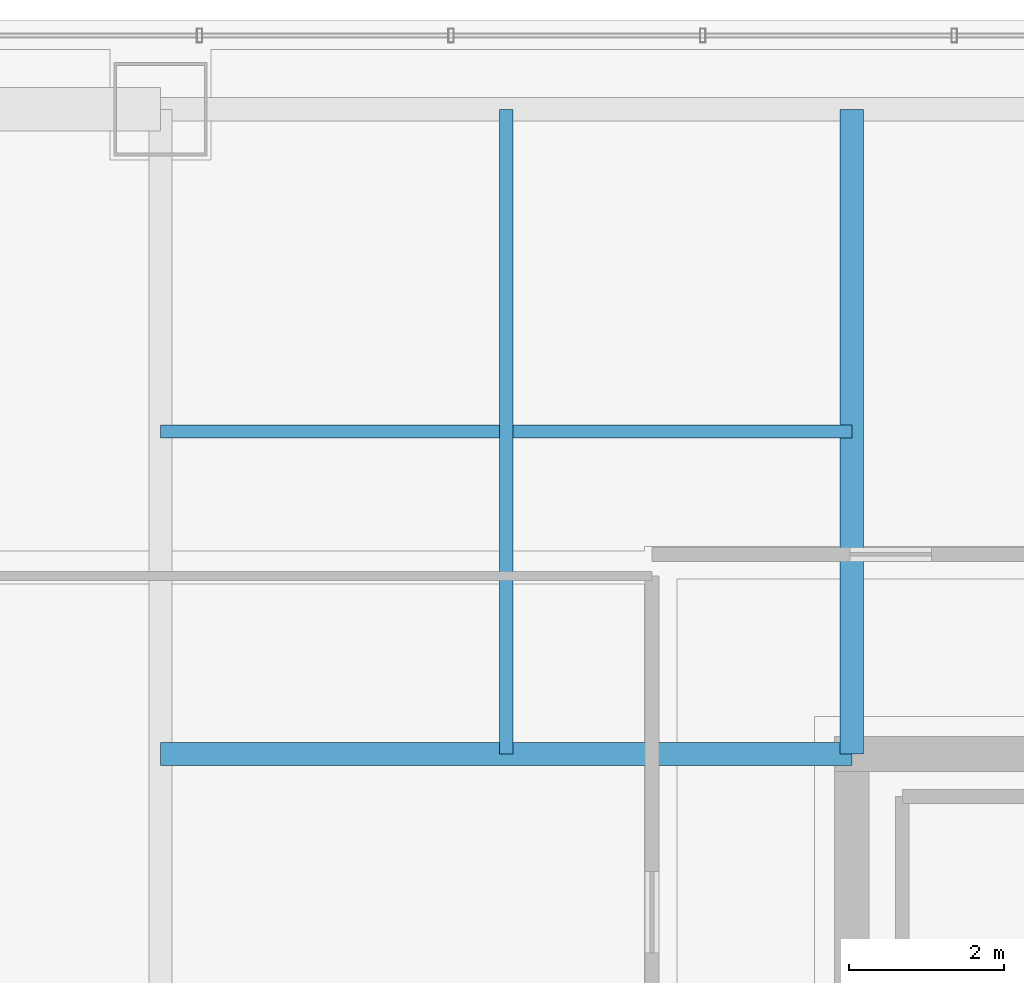
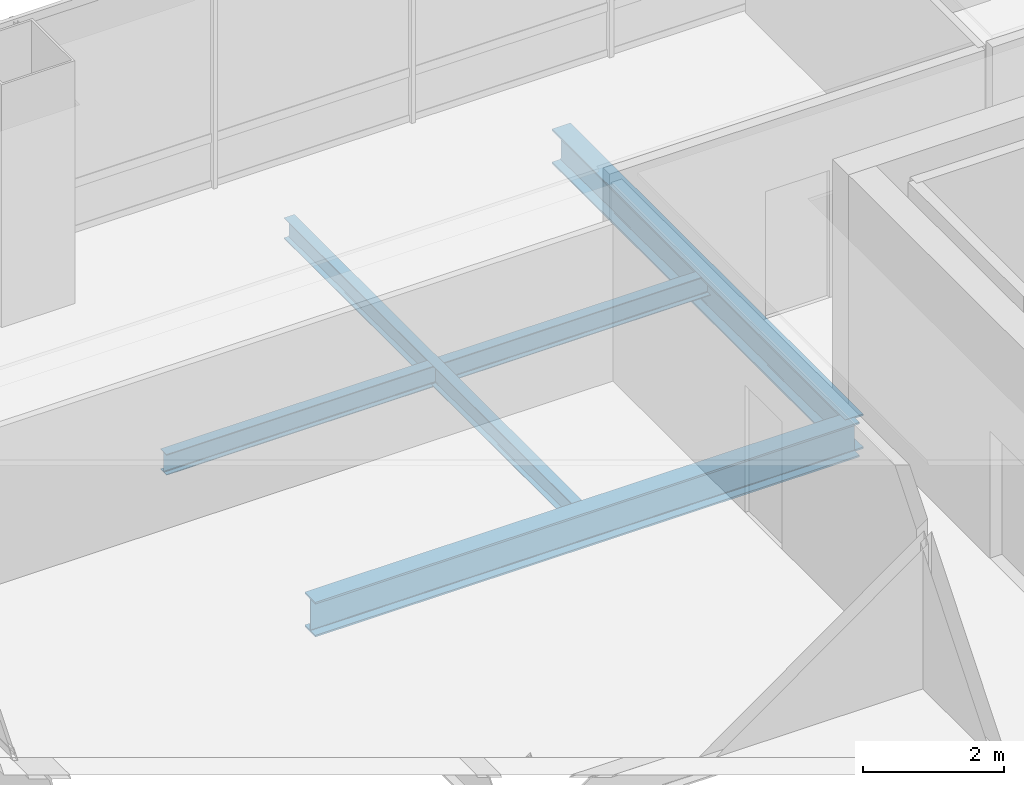
# One storey, part 24 of 43: 4 beams.
"""IFC4 building model written with IfcOpenShell, lengths in metres."""

from ifc_helpers import new_model, si_unit, direction, frame, origin, origin_2d, place, context, subcontext, project, spatial, i_section, extrude, material, material_profile, profile_set, type_object, element, save


model = new_model("IFC4")

# Units and contexts
model_context = context("Model", 3, precision=1e-05, world=origin(), true_north=direction((0.0, 1.0)))
body_context = subcontext(model_context, "Body", "Model", "MODEL_VIEW")
ifc_project = project(units=[si_unit("LENGTHUNIT", "METRE"), si_unit("AREAUNIT", "SQUARE_METRE"), si_unit("VOLUMEUNIT", "CUBIC_METRE"), si_unit("PLANEANGLEUNIT", "RADIAN"), si_unit("MASSUNIT", "GRAM", prefix="KILO")], contexts=[model_context])

# Site, building, storey
site_placement = place(None, origin())
site = spatial("IfcSite", under=ifc_project, at=site_placement, CompositionType="ELEMENT")
building_placement = place(site_placement, origin())
building = spatial("IfcBuilding", under=site, at=building_placement, Name="Punatoya Terracotta Tower", CompositionType="ELEMENT")
storey_placement = place(building_placement, frame((0.0, 0.0, 321.60009765625)))
storey = spatial("IfcBuildingStorey", under=building, at=storey_placement, Name="L76", CompositionType="ELEMENT", Elevation=321.60009765625)

# Beams
ifc_material = material(Name="Steel S355", Category="steel")
ifc_material_profile_1 = material_profile(ifc_material, i_section(OverallWidth=0.300048828125, OverallDepth=0.60009765625, WebThickness=0.015380859375, FlangeThickness=0.030029296875, FilletRadius=0.01806640625, at=origin_2d()))
ifc_profile_set_1 = profile_set([ifc_material_profile_1], Name="Steel S355")
beam_type_1 = type_object("IfcBeamType", Name="BM-PRI-600", PredefinedType="BEAM", material=ifc_profile_set_1)
beam_1_placement = place(storey_placement, frame((-19.10009765625, 9.199951171875, -0.5), z_axis=(1.0, 0.0, 0.0), x_axis=(0.0, 1.0, 0.0)))
element("IfcBeam", 1, at=beam_1_placement, inside=storey, type_object=beam_type_1, Name="BM-L76-PR-WN", PredefinedType="BEAM", context=body_context, shape_type="SweptSolid", body=[
    extrude(i_section(OverallWidth=0.300048828125, OverallDepth=0.60009765625, WebThickness=0.015380859375, FlangeThickness=0.030029296875, FilletRadius=0.01806640625, at=origin_2d()), origin(), (0.0, 0.0, 1.0), 8.900146484375),
])
beam_2_placement = place(storey_placement, frame((-10.199951171875, 9.199951171875, -0.5), z_axis=(0.0, 1.0, 0.0), x_axis=(-1.0, 0.0, 0.0)))
element("IfcBeam", 2, at=beam_2_placement, inside=storey, type_object=beam_type_1, Name="BM-L76-PR-N1", PredefinedType="BEAM", context=body_context, shape_type="SweptSolid", body=[
    extrude(i_section(OverallWidth=0.300048828125, OverallDepth=0.60009765625, WebThickness=0.015380859375, FlangeThickness=0.030029296875, FilletRadius=0.01806640625, at=origin_2d()), origin(), (0.0, 0.0, 1.0), 8.300048828125),
])
ifc_material_profile_2 = material_profile(ifc_material, i_section(OverallWidth=0.169921875, OverallDepth=0.360107421875, WebThickness=0.008056640625, FlangeThickness=0.0126953125, FilletRadius=0.01806640625, at=origin_2d()))
ifc_profile_set_2 = profile_set([ifc_material_profile_2], Name="Steel S355")
beam_type_2 = type_object("IfcBeamType", Name="BM-SEC-360", PredefinedType="JOIST", material=ifc_profile_set_2)
beam_3_placement = place(storey_placement, frame((-19.10009765625, 13.35009765625, -0.380126953125), z_axis=(1.0, 0.0, 0.0), x_axis=(0.0, 1.0, 0.0)))
element("IfcBeam", 3, at=beam_3_placement, inside=storey, type_object=beam_type_2, Name="BM-L76-SJN-1", PredefinedType="JOIST", context=body_context, shape_type="SweptSolid", body=[
    extrude(i_section(OverallWidth=0.169921875, OverallDepth=0.360107421875, WebThickness=0.008056640625, FlangeThickness=0.0126953125, FilletRadius=0.01806640625, at=origin_2d()), origin(), (0.0, 0.0, 1.0), 8.900146484375),
])
beam_4_placement = place(storey_placement, frame((-14.64990234375, 9.199951171875, -0.380126953125), z_axis=(0.0, 1.0, 0.0), x_axis=(-1.0, 0.0, 0.0)))
element("IfcBeam", 4, at=beam_4_placement, inside=storey, type_object=beam_type_2, Name="BM-L76-SJW-2", PredefinedType="JOIST", context=body_context, shape_type="SweptSolid", body=[
    extrude(i_section(OverallWidth=0.169921875, OverallDepth=0.360107421875, WebThickness=0.008056640625, FlangeThickness=0.0126953125, FilletRadius=0.01806640625, at=origin_2d()), origin(), (0.0, 0.0, 1.0), 8.300048828125),
])

save(model, "model.ifc")
